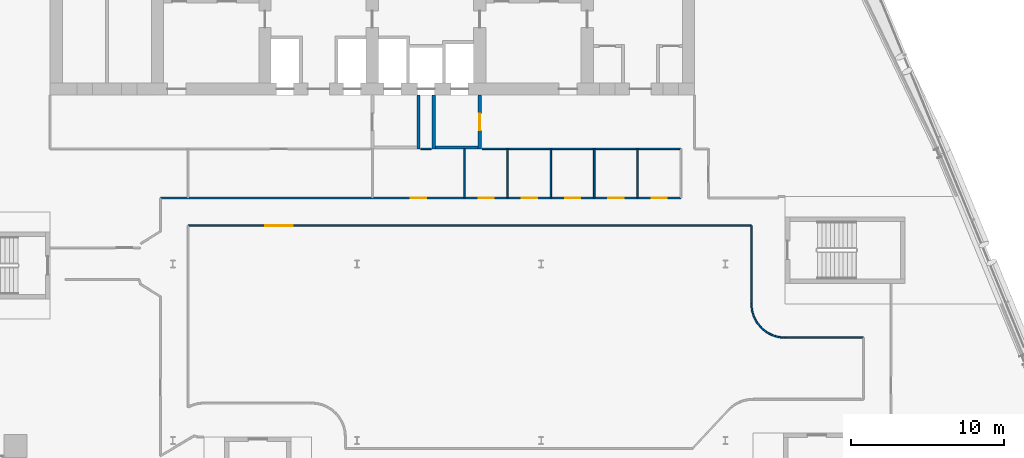
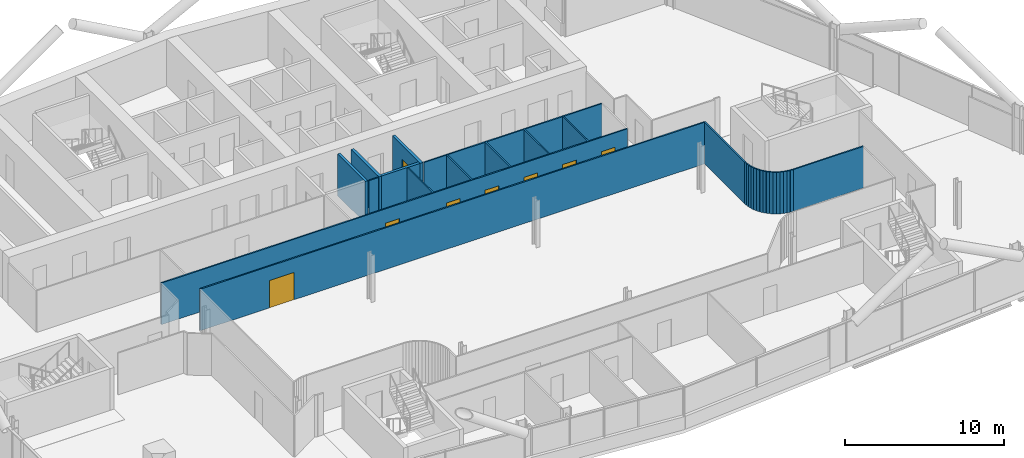
# One storey, part 18 of 29: 31 walls, 8 doors, 8 openings.
"""IFC4 building model written with IfcOpenShell, lengths in metres."""

from ifc_helpers import new_model, si_unit, direction, frame, frame_2d, origin, place, context, subcontext, project, spatial, rectangle, extrude, material, layer, layer_set, type_object, element, fill, save


model = new_model("IFC4")

# Units and contexts
model_context = context("Model", 3, precision=1e-05, world=origin(), true_north=direction((0.0, 1.0)))
body_context = subcontext(model_context, "Body", "Model", "MODEL_VIEW")
ifc_project = project(units=[si_unit("LENGTHUNIT", "METRE"), si_unit("AREAUNIT", "SQUARE_METRE"), si_unit("VOLUMEUNIT", "CUBIC_METRE"), si_unit("PLANEANGLEUNIT", "RADIAN"), si_unit("MASSUNIT", "GRAM", prefix="KILO")], contexts=[model_context])

# Site, building, storey
site_placement = place(None, origin())
site = spatial("IfcSite", under=ifc_project, at=site_placement, CompositionType="ELEMENT")
building_placement = place(site_placement, origin())
building = spatial("IfcBuilding", under=site, at=building_placement, Name="Wharfspan Tower", CompositionType="ELEMENT")
storey_placement = place(building_placement, frame((0.0, 0.0, 155.5)))
storey = spatial("IfcBuildingStorey", under=building, at=storey_placement, Name="L37", CompositionType="ELEMENT", Elevation=155.5)

# Wall, openings, doors
ifc_material_1 = material(Name="Gypsum board on steel studs", Category="steel")
ifc_layer_1 = layer(ifc_material_1, 0.100098)
ifc_layer_set_1 = layer_set([ifc_layer_1], Name="Gypsum board on steel studs")
wall_type_1 = type_object("IfcWallType", Name="Compartment wall 100 EI 60", PredefinedType="PARTITIONING", material=ifc_layer_set_1)
wall_1_placement = place(storey_placement, frame((23.199951, 27.300049, 0.0), z_axis=(0.0, 0.0, 1.0), x_axis=(1.0, 0.0, 0.0)))
wall_1 = element("IfcWall", 1, at=wall_1_placement, inside=storey, type_object=wall_type_1, Name="Partition L37.w014", PredefinedType="PARTITIONING", context=body_context, shape_type="SweptSolid", body=[
    extrude(rectangle(XDim=33.900146, YDim=0.100098, at=frame_2d((16.950195, 0.0))), origin(), (0.0, 0.0, 1.0), 3.199951),
])
opening_1_placement = place(wall_1_placement, frame((16.300049, 0.0, 0.0)))
opening_1 = element("IfcOpeningElement", 2, at=opening_1_placement, cuts=wall_1, Name="Opening C2-11", PredefinedType="OPENING", context=body_context, shape_type="SweptSolid", body=[
    extrude(rectangle(XDim=1.0, YDim=2.100098, at=frame_2d((0.5, 1.050049))), frame((0.0, 0.060059, 0.0), z_axis=(0.0, -1.0, 0.0), x_axis=(1.0, 0.0, 0.0)), (0.0, 0.0, 1.0), 0.120117),
])
opening_2_placement = place(wall_1_placement, frame((20.719971, 0.0, 0.0)))
opening_2 = element("IfcOpeningElement", 3, at=opening_2_placement, cuts=wall_1, Name="Opening C2-12", PredefinedType="OPENING", context=body_context, shape_type="SweptSolid", body=[
    extrude(rectangle(XDim=1.0, YDim=2.100098, at=frame_2d((0.5, 1.050049))), frame((0.0, 0.060059, 0.0), z_axis=(0.0, -1.0, 0.0), x_axis=(1.0, 0.0, 0.0)), (0.0, 0.0, 1.0), 0.120117),
])
opening_3_placement = place(wall_1_placement, frame((23.540039, 0.0, 0.0)))
opening_3 = element("IfcOpeningElement", 4, at=opening_3_placement, cuts=wall_1, Name="Opening C2-13", PredefinedType="OPENING", context=body_context, shape_type="SweptSolid", body=[
    extrude(rectangle(XDim=1.0, YDim=2.100098, at=frame_2d((0.5, 1.050049))), frame((0.0, 0.060059, 0.0), z_axis=(0.0, -1.0, 0.0), x_axis=(1.0, 0.0, 0.0)), (0.0, 0.0, 1.0), 0.120117),
])
opening_4_placement = place(wall_1_placement, frame((26.360107, 0.0, 0.0)))
opening_4 = element("IfcOpeningElement", 5, at=opening_4_placement, cuts=wall_1, Name="Opening C2-14", PredefinedType="OPENING", context=body_context, shape_type="SweptSolid", body=[
    extrude(rectangle(XDim=1.0, YDim=2.100098, at=frame_2d((0.5, 1.050049))), frame((0.0, 0.060059, 0.0), z_axis=(0.0, -1.0, 0.0), x_axis=(1.0, 0.0, 0.0)), (0.0, 0.0, 1.0), 0.120117),
])
opening_5_placement = place(wall_1_placement, frame((29.179932, 0.0, 0.0)))
opening_5 = element("IfcOpeningElement", 6, at=opening_5_placement, cuts=wall_1, Name="Opening C2-15", PredefinedType="OPENING", context=body_context, shape_type="SweptSolid", body=[
    extrude(rectangle(XDim=1.0, YDim=2.100098, at=frame_2d((0.5, 1.050049))), frame((0.0, 0.060059, 0.0), z_axis=(0.0, -1.0, 0.0), x_axis=(1.0, 0.0, 0.0)), (0.0, 0.0, 1.0), 0.120117),
])
opening_6_placement = place(wall_1_placement, frame((32.0, 0.0, 0.0)))
opening_6 = element("IfcOpeningElement", 7, at=opening_6_placement, cuts=wall_1, Name="Opening C2-16", PredefinedType="OPENING", context=body_context, shape_type="SweptSolid", body=[
    extrude(rectangle(XDim=1.0, YDim=2.100098, at=frame_2d((0.5, 1.050049))), frame((0.0, 0.060059, 0.0), z_axis=(0.0, -1.0, 0.0), x_axis=(1.0, 0.0, 0.0)), (0.0, 0.0, 1.0), 0.120117),
])
ifc_material_2 = material(Name="Fire-rated timber door leaf in steel frame", Category="steel")
door_type_1 = type_object("IfcDoorType", Name="Door 1000 FD30S Left", OperationType="SINGLE_SWING_LEFT", PredefinedType="DOOR", material=ifc_material_2)
door_1_placement = place(opening_1_placement, origin())
door_1 = element("IfcDoor", 8, at=door_1_placement, inside=storey, type_object=door_type_1, Name="Door C2-11", OperationType="SINGLE_SWING_LEFT", OverallHeight=2.100098, OverallWidth=1.0, PredefinedType="DOOR", context=body_context, shape_type="SweptSolid", body=[
    extrude(rectangle(XDim=1.0, YDim=2.100098, at=frame_2d((0.5, 1.050049))), frame((0.0, 0.024902, 0.0), z_axis=(0.0, -1.0, 0.0), x_axis=(1.0, 0.0, 0.0)), (0.0, 0.0, 1.0), 0.050049),
])
fill(opening_1, door_1)
door_type_2 = type_object("IfcDoorType", Name="Door 1000 FD30S Right", OperationType="SINGLE_SWING_RIGHT", PredefinedType="DOOR", material=ifc_material_2)
door_2_placement = place(opening_2_placement, origin())
door_2 = element("IfcDoor", 9, at=door_2_placement, inside=storey, type_object=door_type_2, Name="Door C2-12", OperationType="SINGLE_SWING_RIGHT", OverallHeight=2.100098, OverallWidth=1.0, PredefinedType="DOOR", context=body_context, shape_type="SweptSolid", body=[
    extrude(rectangle(XDim=1.0, YDim=2.100098, at=frame_2d((0.5, 1.050049))), frame((0.0, 0.024902, 0.0), z_axis=(0.0, -1.0, 0.0), x_axis=(1.0, 0.0, 0.0)), (0.0, 0.0, 1.0), 0.050049),
])
fill(opening_2, door_2)
door_3_placement = place(opening_3_placement, origin())
door_3 = element("IfcDoor", 10, at=door_3_placement, inside=storey, type_object=door_type_2, Name="Door C2-13", OperationType="SINGLE_SWING_RIGHT", OverallHeight=2.100098, OverallWidth=1.0, PredefinedType="DOOR", context=body_context, shape_type="SweptSolid", body=[
    extrude(rectangle(XDim=1.0, YDim=2.100098, at=frame_2d((0.5, 1.050049))), frame((0.0, 0.024902, 0.0), z_axis=(0.0, -1.0, 0.0), x_axis=(1.0, 0.0, 0.0)), (0.0, 0.0, 1.0), 0.050049),
])
fill(opening_3, door_3)
door_4_placement = place(opening_4_placement, origin())
door_4 = element("IfcDoor", 11, at=door_4_placement, inside=storey, type_object=door_type_2, Name="Door C2-14", OperationType="SINGLE_SWING_RIGHT", OverallHeight=2.100098, OverallWidth=1.0, PredefinedType="DOOR", context=body_context, shape_type="SweptSolid", body=[
    extrude(rectangle(XDim=1.0, YDim=2.100098, at=frame_2d((0.5, 1.050049))), frame((0.0, 0.024902, 0.0), z_axis=(0.0, -1.0, 0.0), x_axis=(1.0, 0.0, 0.0)), (0.0, 0.0, 1.0), 0.050049),
])
fill(opening_4, door_4)
door_5_placement = place(opening_5_placement, origin())
door_5 = element("IfcDoor", 12, at=door_5_placement, inside=storey, type_object=door_type_2, Name="Door C2-15", OperationType="SINGLE_SWING_RIGHT", OverallHeight=2.100098, OverallWidth=1.0, PredefinedType="DOOR", context=body_context, shape_type="SweptSolid", body=[
    extrude(rectangle(XDim=1.0, YDim=2.100098, at=frame_2d((0.5, 1.050049))), frame((0.0, 0.024902, 0.0), z_axis=(0.0, -1.0, 0.0), x_axis=(1.0, 0.0, 0.0)), (0.0, 0.0, 1.0), 0.050049),
])
fill(opening_5, door_5)
door_6_placement = place(opening_6_placement, origin())
door_6 = element("IfcDoor", 13, at=door_6_placement, inside=storey, type_object=door_type_2, Name="Door C2-16", OperationType="SINGLE_SWING_RIGHT", OverallHeight=2.100098, OverallWidth=1.0, PredefinedType="DOOR", context=body_context, shape_type="SweptSolid", body=[
    extrude(rectangle(XDim=1.0, YDim=2.100098, at=frame_2d((0.5, 1.050049))), frame((0.0, 0.024902, 0.0), z_axis=(0.0, -1.0, 0.0), x_axis=(1.0, 0.0, 0.0)), (0.0, 0.0, 1.0), 0.050049),
])
fill(opening_6, door_6)

# Wall, opening, door
wall_2_placement = place(storey_placement, frame((25.0, 25.5, 0.0), z_axis=(0.0, 0.0, 1.0), x_axis=(1.0, 0.0, 0.0)))
wall_2 = element("IfcWall", 14, at=wall_2_placement, inside=storey, type_object=wall_type_1, Name="Partition L37.w019", PredefinedType="PARTITIONING", context=body_context, shape_type="SweptSolid", body=[
    extrude(rectangle(XDim=36.705078, YDim=0.100098, at=frame_2d((18.352539, 0.0))), origin(), (0.0, 0.0, 1.0), 3.199951),
])
opening_7_placement = place(wall_2_placement, frame((5.02002, 0.0, 0.0)))
opening_7 = element("IfcOpeningElement", 15, at=opening_7_placement, cuts=wall_2, Name="Opening C2-10", PredefinedType="OPENING", context=body_context, shape_type="SweptSolid", body=[
    extrude(rectangle(XDim=1.800049, YDim=2.100098, at=frame_2d((0.899902, 1.050049))), frame((0.0, 0.060059, 0.0), z_axis=(0.0, -1.0, 0.0), x_axis=(1.0, 0.0, 0.0)), (0.0, 0.0, 1.0), 0.120117),
])
door_type_3 = type_object("IfcDoorType", Name="Door 1800 FD30S Double", OperationType="DOUBLE_DOOR_SINGLE_SWING", PredefinedType="DOOR", material=ifc_material_2)
door_7_placement = place(opening_7_placement, origin())
door_7 = element("IfcDoor", 16, at=door_7_placement, inside=storey, type_object=door_type_3, Name="Door C2-10", OperationType="DOUBLE_DOOR_SINGLE_SWING", OverallHeight=2.100098, OverallWidth=1.800049, PredefinedType="DOOR", context=body_context, shape_type="SweptSolid", body=[
    extrude(rectangle(XDim=1.800049, YDim=2.100098, at=frame_2d((0.899902, 1.050049))), frame((0.0, 0.024902, 0.0), z_axis=(0.0, -1.0, 0.0), x_axis=(1.0, 0.0, 0.0)), (0.0, 0.0, 1.0), 0.050049),
])
fill(opening_7, door_7)

# Walls
for number, where, z_axis, x_axis, name in (
    (17, (43.0, 27.300049, 0.0), (0.0, 0.0, 1.0), (0.0, 1.0, 0.0), "Partition L37.w053"),
    (18, (45.820068, 27.300049, 0.0), (0.0, 0.0, 1.0), (0.0, 1.0, 0.0), "Partition L37.w054"),
    (19, (48.639893, 27.300049, 0.0), (0.0, 0.0, 1.0), (0.0, 1.0, 0.0), "Partition L37.w056"),
    (20, (51.459961, 27.300049, 0.0), (0.0, 0.0, 1.0), (0.0, 1.0, 0.0), "Partition L37.w057"),
    (21, (54.280029, 27.300049, 0.0), (0.0, 0.0, 1.0), (0.0, 1.0, 0.0), "Partition L37.w061"),
):
    element("IfcWall", number, at=place(storey_placement, frame(where, z_axis=z_axis, x_axis=x_axis)), inside=storey, type_object=wall_type_1, Name=name, PredefinedType="PARTITIONING", context=body_context, shape_type="SweptSolid", body=[
        extrude(rectangle(XDim=3.199951, YDim=0.100098, at=frame_2d((1.600098, 0.0))), origin(), (0.0, 0.0, 1.0), 3.199951),
    ])
wall_3_placement = place(storey_placement, frame((61.705078, 20.399902, 0.0), z_axis=(0.0, 0.0, 1.0), x_axis=(0.0, 1.0, 0.0)))
element("IfcWall", 22, at=wall_3_placement, inside=storey, type_object=wall_type_1, Name="Partition L37.w077", PredefinedType="PARTITIONING", context=body_context, shape_type="SweptSolid", body=[
    extrude(rectangle(XDim=5.100098, YDim=0.100098, at=frame_2d((2.550049, 0.0))), origin(), (0.0, 0.0, 1.0), 3.199951),
])
wall_4_placement = place(storey_placement, frame((61.715088, 20.185059, 0.0), z_axis=(0.0, 0.0, 1.0), x_axis=(-0.04654, 0.998912, 0.0)))
element("IfcWall", 23, at=wall_4_placement, inside=storey, type_object=wall_type_1, Name="Partition L37.w078", PredefinedType="PARTITIONING", context=body_context, shape_type="SweptSolid", body=[
    extrude(rectangle(XDim=0.215088, YDim=0.100098, at=frame_2d((0.107422, 0.0))), origin(), (0.0, 0.0, 1.0), 3.199951),
])
wall_5_placement = place(storey_placement, frame((61.745117, 19.969971, 0.0), z_axis=(0.0, 0.0, 1.0), x_axis=(-0.138273, 0.990394, 0.0)))
element("IfcWall", 24, at=wall_5_placement, inside=storey, type_object=wall_type_1, Name="Partition L37.w079", PredefinedType="PARTITIONING", context=body_context, shape_type="SweptSolid", body=[
    extrude(rectangle(XDim=0.217285, YDim=0.100098, at=frame_2d((0.108643, 0.0))), origin(), (0.0, 0.0, 1.0), 3.199951),
])
wall_6_placement = place(storey_placement, frame((61.800049, 19.76001, 0.0), z_axis=(0.0, 0.0, 1.0), x_axis=(-0.253108, 0.967435, 0.0)))
element("IfcWall", 25, at=wall_6_placement, inside=storey, type_object=wall_type_1, Name="Partition L37.w080", PredefinedType="PARTITIONING", context=body_context, shape_type="SweptSolid", body=[
    extrude(rectangle(XDim=0.217041, YDim=0.100098, at=frame_2d((0.108398, 0.0))), origin(), (0.0, 0.0, 1.0), 3.199951),
])
wall_7_placement = place(storey_placement, frame((61.870117, 19.560059, 0.0), z_axis=(0.0, 0.0, 1.0), x_axis=(-0.330711, 0.943736, 0.0)))
element("IfcWall", 26, at=wall_7_placement, inside=storey, type_object=wall_type_1, Name="Partition L37.w082", PredefinedType="PARTITIONING", context=body_context, shape_type="SweptSolid", body=[
    extrude(rectangle(XDim=0.211914, YDim=0.100098, at=frame_2d((0.105957, 0.0))), origin(), (0.0, 0.0, 1.0), 3.199951),
])
wall_8_placement = place(storey_placement, frame((61.965088, 19.360107, 0.0), z_axis=(0.0, 0.0, 1.0), x_axis=(-0.429036, 0.903292, 0.0)))
element("IfcWall", 27, at=wall_8_placement, inside=storey, type_object=wall_type_1, Name="Partition L37.w083", PredefinedType="PARTITIONING", context=body_context, shape_type="SweptSolid", body=[
    extrude(rectangle(XDim=0.221436, YDim=0.100098, at=frame_2d((0.11084, 0.0))), origin(), (0.0, 0.0, 1.0), 3.199951),
])
wall_9_placement = place(storey_placement, frame((62.074951, 19.175049, 0.0), z_axis=(0.0, 0.0, 1.0), x_axis=(-0.510487, 0.859887, 0.0)))
element("IfcWall", 28, at=wall_9_placement, inside=storey, type_object=wall_type_1, Name="Partition L37.w084", PredefinedType="PARTITIONING", context=body_context, shape_type="SweptSolid", body=[
    extrude(rectangle(XDim=0.215332, YDim=0.100098, at=frame_2d((0.107666, 0.0))), origin(), (0.0, 0.0, 1.0), 3.199951),
])
wall_10_placement = place(storey_placement, frame((62.205078, 19.004883, 0.0), z_axis=(0.0, 0.0, 1.0), x_axis=(-0.607451, 0.794359, 0.0)))
element("IfcWall", 29, at=wall_10_placement, inside=storey, type_object=wall_type_1, Name="Partition L37.w085", PredefinedType="PARTITIONING", context=body_context, shape_type="SweptSolid", body=[
    extrude(rectangle(XDim=0.214111, YDim=0.100098, at=frame_2d((0.106934, 0.0))), origin(), (0.0, 0.0, 1.0), 3.199951),
])
for number, where, z_axis, x_axis, name in (
    (30, (62.350098, 18.844971, 0.0), (0.0, 0.0, 1.0), (-0.671775, 0.740762, 0.0), "Partition L37.w086"),
    (31, (62.51001, 18.699951, 0.0), (0.0, 0.0, 1.0), (-0.740762, 0.671775, 0.0), "Partition L37.w087"),
):
    element("IfcWall", number, at=place(storey_placement, frame(where, z_axis=z_axis, x_axis=x_axis)), inside=storey, type_object=wall_type_1, Name=name, PredefinedType="PARTITIONING", context=body_context, shape_type="SweptSolid", body=[
        extrude(rectangle(XDim=0.21582, YDim=0.100098, at=frame_2d((0.10791, 0.0))), origin(), (0.0, 0.0, 1.0), 3.199951),
    ])
wall_11_placement = place(storey_placement, frame((62.679932, 18.570068, 0.0), z_axis=(0.0, 0.0, 1.0), x_axis=(-0.794484, 0.607278, 0.0)))
element("IfcWall", 32, at=wall_11_placement, inside=storey, type_object=wall_type_1, Name="Partition L37.w088", PredefinedType="PARTITIONING", context=body_context, shape_type="SweptSolid", body=[
    extrude(rectangle(XDim=0.213867, YDim=0.100098, at=frame_2d((0.106934, 0.0))), origin(), (0.0, 0.0, 1.0), 3.199951),
])
wall_12_placement = place(storey_placement, frame((62.86499, 18.459961, 0.0), z_axis=(0.0, 0.0, 1.0), x_axis=(-0.859387, 0.511324, 0.0)))
element("IfcWall", 33, at=wall_12_placement, inside=storey, type_object=wall_type_1, Name="Partition L37.w089", PredefinedType="PARTITIONING", context=body_context, shape_type="SweptSolid", body=[
    extrude(rectangle(XDim=0.215332, YDim=0.100098, at=frame_2d((0.107666, 0.0))), origin(), (0.0, 0.0, 1.0), 3.199951),
])
wall_13_placement = place(storey_placement, frame((63.060059, 18.36499, 0.0), z_axis=(0.0, 0.0, 1.0), x_axis=(-0.899103, 0.437736, 0.0)))
element("IfcWall", 34, at=wall_13_placement, inside=storey, type_object=wall_type_1, Name="Partition L37.w090", PredefinedType="PARTITIONING", context=body_context, shape_type="SweptSolid", body=[
    extrude(rectangle(XDim=0.217041, YDim=0.100098, at=frame_2d((0.108398, 0.0))), origin(), (0.0, 0.0, 1.0), 3.199951),
])
wall_14_placement = place(storey_placement, frame((63.264893, 18.294922, 0.0), z_axis=(0.0, 0.0, 1.0), x_axis=(-0.94617, 0.32366, 0.0)))
element("IfcWall", 35, at=wall_14_placement, inside=storey, type_object=wall_type_1, Name="Partition L37.w091", PredefinedType="PARTITIONING", context=body_context, shape_type="SweptSolid", body=[
    extrude(rectangle(XDim=0.216553, YDim=0.100098, at=frame_2d((0.108398, 0.0))), origin(), (0.0, 0.0, 1.0), 3.199951),
])
wall_15_placement = place(storey_placement, frame((63.475098, 18.23999, 0.0), z_axis=(0.0, 0.0, 1.0), x_axis=(-0.967508, 0.252833, 0.0)))
element("IfcWall", 36, at=wall_15_placement, inside=storey, type_object=wall_type_1, Name="Partition L37.w093", PredefinedType="PARTITIONING", context=body_context, shape_type="SweptSolid", body=[
    extrude(rectangle(XDim=0.217285, YDim=0.100098, at=frame_2d((0.108643, 0.0))), origin(), (0.0, 0.0, 1.0), 3.199951),
])
wall_16_placement = place(storey_placement, frame((63.689941, 18.209961, 0.0), z_axis=(0.0, 0.0, 1.0), x_axis=(-0.990372, 0.138427, 0.0)))
element("IfcWall", 37, at=wall_16_placement, inside=storey, type_object=wall_type_1, Name="Partition L37.w094", PredefinedType="PARTITIONING", context=body_context, shape_type="SweptSolid", body=[
    extrude(rectangle(XDim=0.217041, YDim=0.100098, at=frame_2d((0.108398, 0.0))), origin(), (0.0, 0.0, 1.0), 3.199951),
])
wall_17_placement = place(storey_placement, frame((63.905029, 18.199951, 0.0), z_axis=(0.0, 0.0, 1.0), x_axis=(1.0, 0.0, 0.0)))
element("IfcWall", 38, at=wall_17_placement, inside=storey, type_object=wall_type_1, Name="Partition L37.w095", PredefinedType="PARTITIONING", context=body_context, shape_type="SweptSolid", body=[
    extrude(rectangle(XDim=5.094971, YDim=0.100098, at=frame_2d((2.547363, 0.0))), origin(), (0.0, 0.0, 1.0), 3.199951),
])
wall_18_placement = place(storey_placement, frame((63.905029, 18.199951, 0.0), z_axis=(0.0, 0.0, 1.0), x_axis=(-0.998923, 0.046488, 0.0)))
element("IfcWall", 39, at=wall_18_placement, inside=storey, type_object=wall_type_1, Name="Partition L37.w096", PredefinedType="PARTITIONING", context=body_context, shape_type="SweptSolid", body=[
    extrude(rectangle(XDim=0.215332, YDim=0.100098, at=frame_2d((0.107666, 0.0))), origin(), (0.0, 0.0, 1.0), 3.199951),
])
wall_19_placement = place(storey_placement, frame((40.149902, 30.5, 0.0), z_axis=(0.0, 0.0, 1.0), x_axis=(1.0, 0.0, 0.0)))
element("IfcWall", 40, at=wall_19_placement, inside=storey, type_object=wall_type_1, Name="Partition L37.w005 (2)", PredefinedType="PARTITIONING", context=body_context, shape_type="SweptSolid", body=[
    extrude(rectangle(XDim=0.700195, YDim=0.100098, at=frame_2d((0.350098, 0.0))), origin(), (0.0, 0.0, 1.0), 3.199951),
])
wall_20_placement = place(storey_placement, frame((44.149902, 30.5, 0.0), z_axis=(0.0, 0.0, 1.0), x_axis=(1.0, 0.0, 0.0)))
element("IfcWall", 41, at=wall_20_placement, inside=storey, type_object=wall_type_1, Name="Partition L37.w005 (3)", PredefinedType="PARTITIONING", context=body_context, shape_type="SweptSolid", body=[
    extrude(rectangle(XDim=12.950195, YDim=0.100098, at=frame_2d((6.475098, 0.0))), origin(), (0.0, 0.0, 1.0), 3.199951),
])
ifc_material_3 = material(Name="Concrete C30/37", Category="concrete")
ifc_layer_2 = layer(ifc_material_3, 0.199951)
ifc_layer_set_2 = layer_set([ifc_layer_2], Name="Concrete C30/37")
wall_type_2 = type_object("IfcWallType", Name="Lobby wall 200", PredefinedType="PARTITIONING", material=ifc_layer_set_2)
for number, where, z_axis, x_axis, name in (
    (42, (40.0, 30.5, 0.0), (0.0, 0.0, 1.0), (0.0, 1.0, 0.0), "sw:L37:FLFF1E"),
    (43, (41.0, 30.5, 0.0), (0.0, 0.0, 1.0), (0.0, 1.0, 0.0), "sw:L37:FLFF2W"),
):
    element("IfcWall", number, at=place(storey_placement, frame(where, z_axis=z_axis, x_axis=x_axis)), inside=storey, type_object=wall_type_2, Name=name, PredefinedType="PARTITIONING", context=body_context, shape_type="SweptSolid", body=[
        extrude(rectangle(XDim=3.5, YDim=0.199951, at=frame_2d((1.75, 0.0))), origin(), (0.0, 0.0, 1.0), 3.199951),
    ])

# Wall, opening, door
wall_21_placement = place(storey_placement, frame((44.0, 30.5, 0.0), z_axis=(0.0, 0.0, 1.0), x_axis=(0.0, 1.0, 0.0)))
wall_21 = element("IfcWall", 44, at=wall_21_placement, inside=storey, type_object=wall_type_2, Name="sw:L37:FLFF2E", PredefinedType="PARTITIONING", context=body_context, shape_type="SweptSolid", body=[
    extrude(rectangle(XDim=3.5, YDim=0.199951, at=frame_2d((1.75, 0.0))), origin(), (0.0, 0.0, 1.0), 3.199951),
])
opening_8_placement = place(wall_21_placement, frame((1.199951, 0.0, 0.0)))
opening_8 = element("IfcOpeningElement", 45, at=opening_8_placement, cuts=wall_21, Name="Opening FL.FF2.L37", PredefinedType="OPENING", context=body_context, shape_type="SweptSolid", body=[
    extrude(rectangle(XDim=1.100098, YDim=2.100098, at=frame_2d((0.550049, 1.050049))), frame((0.0, 0.109863, 0.0), z_axis=(0.0, -1.0, 0.0), x_axis=(1.0, 0.0, 0.0)), (0.0, 0.0, 1.0), 0.219971),
])
ifc_material_4 = material(Name="Steel door leaf", Category="steel")
door_type_4 = type_object("IfcDoorType", Name="Firefighting lobby door 1100x2100", OperationType="SINGLE_SWING_LEFT", PredefinedType="DOOR", material=ifc_material_4)
door_8_placement = place(opening_8_placement, origin())
door_8 = element("IfcDoor", 46, at=door_8_placement, inside=storey, type_object=door_type_4, Name="fd:L37:FF2", OperationType="SINGLE_SWING_LEFT", OverallHeight=2.100098, OverallWidth=1.100098, PredefinedType="DOOR", context=body_context, shape_type="SweptSolid", body=[
    extrude(rectangle(XDim=1.100098, YDim=2.100098, at=frame_2d((0.550049, 1.050049))), frame((0.0, 0.024902, 0.0), z_axis=(0.0, -1.0, 0.0), x_axis=(1.0, 0.0, 0.0)), (0.0, 0.0, 1.0), 0.050049),
])
fill(opening_8, door_8)

# Wall
wall_22_placement = place(storey_placement, frame((41.100098, 30.600098, 0.0), z_axis=(0.0, 0.0, 1.0), x_axis=(1.0, 0.0, 0.0)))
element("IfcWall", 47, at=wall_22_placement, inside=storey, type_object=wall_type_2, Name="sw:L37:FLFF2F", PredefinedType="PARTITIONING", context=body_context, shape_type="SweptSolid", body=[
    extrude(rectangle(XDim=2.799805, YDim=0.199951, at=frame_2d((1.399902, 0.0))), origin(), (0.0, 0.0, 1.0), 3.199951),
])

save(model, "model.ifc")
